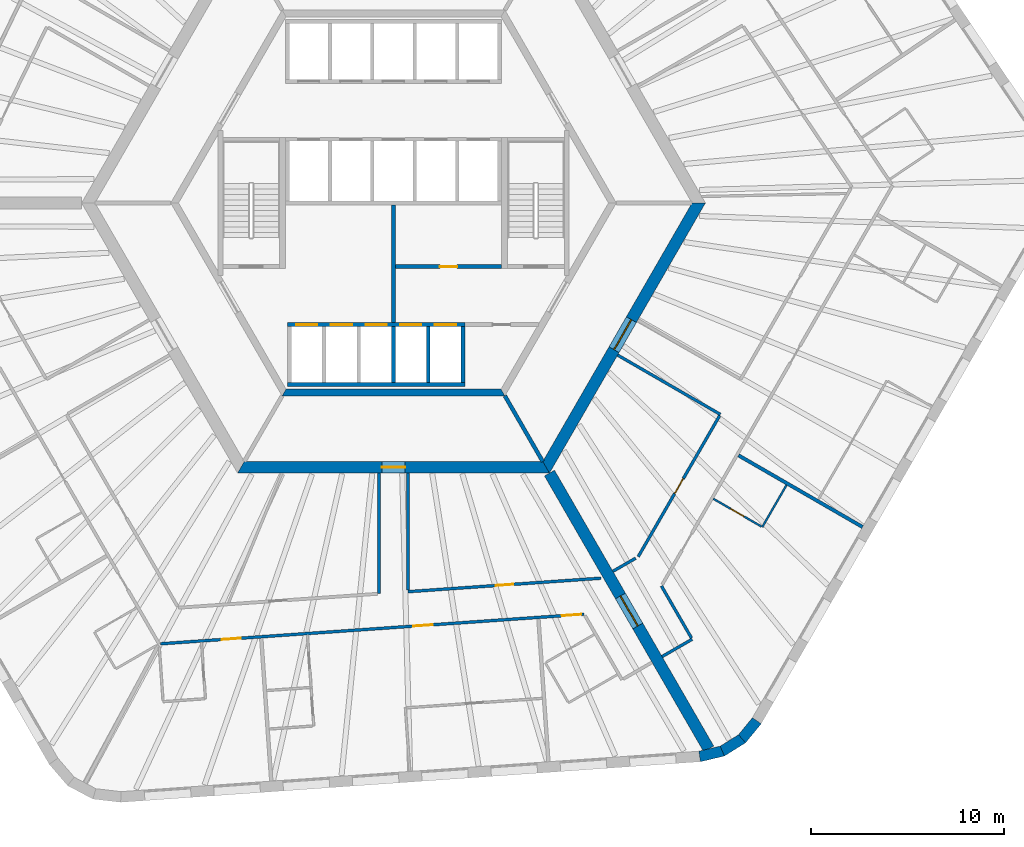
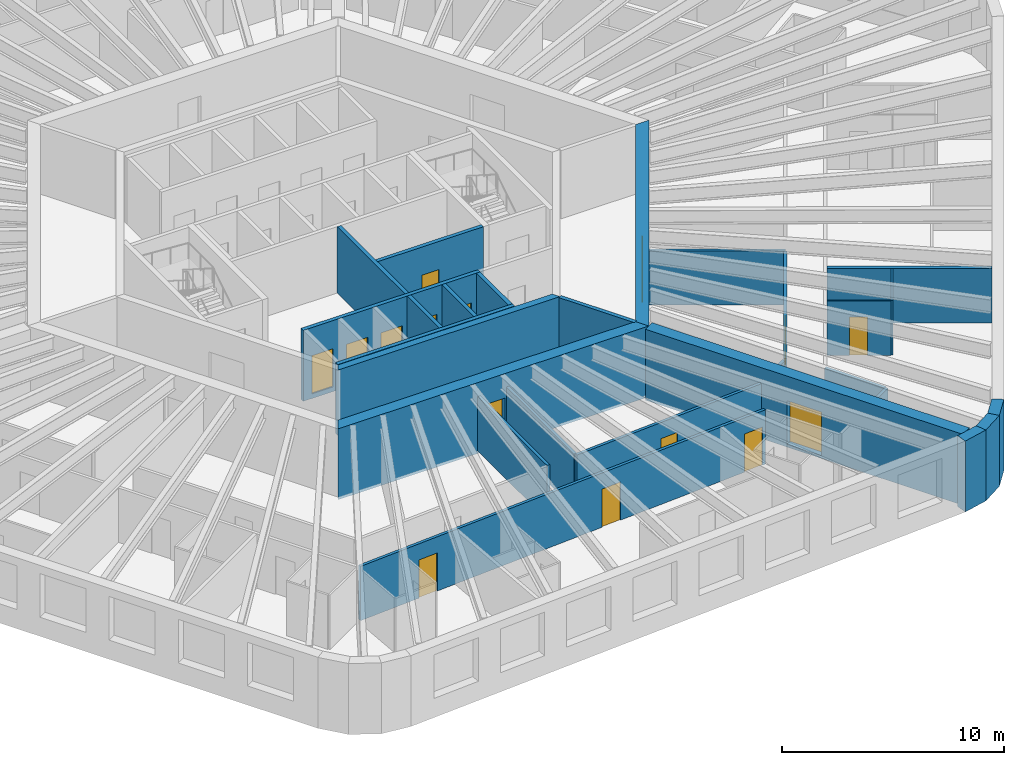
# One storey, part 5 of 12: 27 walls, 15 doors, 15 openings.
"""IFC4 building model written with IfcOpenShell, lengths in metres."""

from ifc_helpers import new_model, si_unit, direction, frame, frame_2d, origin, place, context, subcontext, project, spatial, polyline, rectangle, outline, extrude, material, layer, layer_set, type_object, element, fill, save


model = new_model("IFC4")

# Units and contexts
model_context = context("Model", 3, precision=1e-05, world=origin(), true_north=direction((0.0, 1.0)))
body_context = subcontext(model_context, "Body", "Model", "MODEL_VIEW")
ifc_project = project(units=[si_unit("LENGTHUNIT", "METRE"), si_unit("AREAUNIT", "SQUARE_METRE"), si_unit("VOLUMEUNIT", "CUBIC_METRE"), si_unit("PLANEANGLEUNIT", "RADIAN"), si_unit("MASSUNIT", "GRAM", prefix="KILO")], contexts=[model_context])

# Site, building, storey
site_placement = place(None, origin())
site = spatial("IfcSite", under=ifc_project, at=site_placement, CompositionType="ELEMENT")
building_placement = place(site_placement, origin())
building = spatial("IfcBuilding", under=site, at=building_placement, Name="Tarnside Tower", CompositionType="ELEMENT")
storey_placement = place(building_placement, frame((0.0, 0.0, 127.199951171875)))
storey = spatial("IfcBuildingStorey", under=building, at=storey_placement, Name="L29", CompositionType="ELEMENT", Elevation=127.199951171875)

# Wall
ifc_material_1 = material(Name="Gypsum board partition on steel studs", Category="steel")
ifc_layer_1 = layer(ifc_material_1, 0.10009765625)
ifc_layer_set_1 = layer_set([ifc_layer_1], Name="Bathroom wall 100")
wall_type_1 = type_object("IfcWallType", Name="Bathroom wall 100", PredefinedType="PARTITIONING", material=ifc_layer_set_1)
wall_1_placement = place(storey_placement, frame((20.367919921875, -14.621826171875, 0.0), z_axis=(0.0, 0.0, 1.0), x_axis=(-0.50001992892, -0.866013897511, 0.0)))
element("IfcWall", 1, at=wall_1_placement, inside=storey, type_object=wall_type_1, Name="Bathroom wall 09143", PredefinedType="PARTITIONING", context=body_context, shape_type="SweptSolid", body=[
    extrude(rectangle(XDim=2.51025390625, YDim=0.10009765625, at=frame_2d((1.255126953125, 0.0))), origin(), (0.0, 0.0, 1.0), 2.98779296875),
])

# Wall, opening, door
wall_2_placement = place(storey_placement, frame((19.069580078125, -16.7705078125, 0.0), z_axis=(0.0, 0.0, 1.0), x_axis=(-0.866018712932, 0.500011588718, 0.0)))
wall_2 = element("IfcWall", 2, at=wall_2_placement, inside=storey, type_object=wall_type_1, Name="Bathroom wall 09144", PredefinedType="PARTITIONING", context=body_context, shape_type="SweptSolid", body=[
    extrude(rectangle(XDim=2.875, YDim=0.10009765625, at=frame_2d((1.4375, 0.0))), origin(), (0.0, 0.0, 1.0), 2.98779296875),
])
opening_1_placement = place(wall_2_placement, frame((1.050048828125, 0.0, 0.0)))
opening_1 = element("IfcOpeningElement", 3, at=opening_1_placement, cuts=wall_2, Name="Opening D-B1", PredefinedType="OPENING", context=body_context, shape_type="SweptSolid", body=[
    extrude(rectangle(XDim=0.800048828125, YDim=2.10009765625, at=frame_2d((0.39990234375, 1.050048828125))), frame((0.0, 0.06005859375, 0.0), z_axis=(0.0, -1.0, 0.0), x_axis=(1.0, 0.0, 0.0)), (0.0, 0.0, 1.0), 0.1201171875),
])
ifc_material_2 = material(Name="Timber door leaf", Category="wood")
door_type_1 = type_object("IfcDoorType", Name="Bathroom door 800", OperationType="NOTDEFINED", PredefinedType="DOOR", material=ifc_material_2)
door_1_placement = place(opening_1_placement, origin())
door_1 = element("IfcDoor", 4, at=door_1_placement, inside=storey, type_object=door_type_1, Name="Bathroom door 09032", OperationType="SINGLE_SWING_LEFT", OverallHeight=2.10009765625, OverallWidth=0.800048828125, PredefinedType="DOOR", context=body_context, shape_type="SweptSolid", body=[
    extrude(rectangle(XDim=0.800048828125, YDim=2.10009765625, at=frame_2d((0.39990234375, 1.050048828125))), frame((0.0, 0.02490234375, 0.0), z_axis=(0.0, -1.0, 0.0), x_axis=(1.0, 0.0, 0.0)), (0.0, 0.0, 1.0), 0.050048828125),
])
fill(opening_1, door_1)

# Wall
ifc_material_3 = material(Name="Concrete C50/60", Category="concrete")
ifc_layer_2 = layer(ifc_material_3, 0.35009765625)
ifc_layer_set_2 = layer_set([ifc_layer_2], Name="Core block wall 350 C50/60")
wall_type_2 = type_object("IfcWallType", Name="Core block wall 350 C50/60", PredefinedType="SHEAR", material=ifc_layer_set_2)
wall_3_placement = place(storey_placement, frame((-5.672607421875, -9.824951171875, -0.14990234375), z_axis=(0.0, 0.0, 1.0), x_axis=(1.0, 0.0, 0.0)))
element("IfcWall", 5, at=wall_3_placement, inside=storey, type_object=wall_type_2, Name="L29 core block wall face 4", PredefinedType="SHEAR", context=body_context, shape_type="SweptSolid", body=[
    extrude(outline(polyline([(-0.10107421875, -0.175048828125), (11.4462890625, -0.175048828125), (11.244140625, 0.175048828125), (0.10107421875, 0.175048828125), (-0.10107421875, -0.175048828125)])), origin(), (0.0, 0.0, 1.0), 3.89990234375),
])

# Wall, opening, door
ifc_material_4 = material(Name="Concrete C40/50", Category="concrete")
ifc_layer_3 = layer(ifc_material_4, 0.199951171875)
ifc_layer_set_3 = layer_set([ifc_layer_3], Name="Core room partition 200 C40/50")
wall_type_3 = type_object("IfcWallType", Name="Core room partition 200 C40/50", PredefinedType="PARTITIONING", material=ifc_layer_set_3)
wall_4_placement = place(storey_placement, frame((0.10009765625, -3.300048828125, 0.0), z_axis=(0.0, 0.0, 1.0), x_axis=(1.0, 0.0, 0.0)))
wall_4 = element("IfcWall", 6, at=wall_4_placement, inside=storey, type_object=wall_type_3, Name="L29 core partition R3S1", PredefinedType="PARTITIONING", context=body_context, shape_type="SweptSolid", body=[
    extrude(rectangle(XDim=5.5, YDim=0.199951171875, at=frame_2d((2.75, 0.0))), origin(), (0.0, 0.0, 1.0), 3.650146484375),
])
opening_2_placement = place(wall_4_placement, frame((2.300048828125, 0.0, 0.0)))
opening_2 = element("IfcOpeningElement", 7, at=opening_2_placement, cuts=wall_4, Name="Opening CD-room", PredefinedType="OPENING", context=body_context, shape_type="SweptSolid", body=[
    extrude(rectangle(XDim=0.89990234375, YDim=2.10009765625, at=frame_2d((0.449951171875, 1.050048828125))), frame((0.0, 0.10986328125, 0.0), z_axis=(0.0, -1.0, 0.0), x_axis=(1.0, 0.0, 0.0)), (0.0, 0.0, 1.0), 0.219970703125),
])
ifc_material_5 = material(Name="Steel fire door", Category="steel")
door_type_2 = type_object("IfcDoorType", Name="Room door FD60 900x2100", OperationType="NOTDEFINED", PredefinedType="DOOR", material=ifc_material_5)
door_2_placement = place(opening_2_placement, origin())
door_2 = element("IfcDoor", 8, at=door_2_placement, inside=storey, type_object=door_type_2, Name="L29 core room door SR1", OperationType="SINGLE_SWING_LEFT", OverallHeight=2.10009765625, OverallWidth=0.89990234375, PredefinedType="DOOR", context=body_context, shape_type="SweptSolid", body=[
    extrude(rectangle(XDim=0.89990234375, YDim=2.10009765625, at=frame_2d((0.449951171875, 1.050048828125))), frame((0.0, 0.02490234375, 0.0), z_axis=(0.0, -1.0, 0.0), x_axis=(1.0, 0.0, 0.0)), (0.0, 0.0, 1.0), 0.050048828125),
])
fill(opening_2, door_2)

# Wall
wall_5_placement = place(storey_placement, frame((0.0, -6.199951171875, 0.0), z_axis=(0.0, 0.0, 1.0), x_axis=(0.0, 1.0, 0.0)))
element("IfcWall", 9, at=wall_5_placement, inside=storey, type_object=wall_type_3, Name="L29 core partition X0", PredefinedType="PARTITIONING", context=body_context, shape_type="SweptSolid", body=[
    extrude(rectangle(XDim=6.099853515625, YDim=0.199951171875, at=frame_2d((3.0498046875, 0.0))), origin(), (0.0, 0.0, 1.0), 3.650146484375),
])

# Wall, opening, door
ifc_material_6 = material(Name="Concrete C80/95", Category="concrete")
ifc_layer_4 = layer(ifc_material_6, 0.60009765625)
ifc_layer_set_4 = layer_set([ifc_layer_4], Name="Core wall Z1 600 C80/95")
wall_type_4 = type_object("IfcWallType", Name="Core wall Z1 600 C80/95", PredefinedType="SHEAR", material=ifc_layer_set_4)
wall_6_placement = place(storey_placement, frame((-7.90966796875, -13.699951171875, -0.14990234375), z_axis=(0.0, 0.0, 1.0), x_axis=(1.0, 0.0, 0.0)))
wall_6 = element("IfcWall", 10, at=wall_6_placement, inside=storey, type_object=wall_type_4, Name="L29 core wall face 4", PredefinedType="SHEAR", context=body_context, shape_type="SweptSolid", body=[
    extrude(outline(polyline([(-0.17333984375, -0.300048828125), (15.99267578125, -0.300048828125), (15.64599609375, 0.300048828125), (0.17333984375, 0.300048828125), (-0.17333984375, -0.300048828125)])), origin(), (0.0, 0.0, 1.0), 3.89990234375),
])
opening_3_placement = place(wall_6_placement, frame((7.309814453125, 0.0, 0.14990234375)))
opening_3 = element("IfcOpeningElement", 11, at=opening_3_placement, cuts=wall_6, Name="Opening CD-RSR", PredefinedType="OPENING", context=body_context, shape_type="SweptSolid", body=[
    extrude(rectangle(XDim=1.199951171875, YDim=2.39990234375, at=frame_2d((0.60009765625, 1.199951171875))), frame((0.0, 0.31005859375, 0.0), z_axis=(0.0, -1.0, 0.0), x_axis=(1.0, 0.0, 0.0)), (0.0, 0.0, 1.0), 0.6201171875),
])
door_type_3 = type_object("IfcDoorType", Name="Riser door FD60 1200x2400", OperationType="NOTDEFINED", PredefinedType="DOOR", material=ifc_material_5)
door_3_placement = place(opening_3_placement, origin())
door_3 = element("IfcDoor", 12, at=door_3_placement, inside=storey, type_object=door_type_3, Name="L29 core door S6", OperationType="SINGLE_SWING_LEFT", OverallHeight=2.39990234375, OverallWidth=1.199951171875, PredefinedType="DOOR", context=body_context, shape_type="SweptSolid", body=[
    extrude(rectangle(XDim=1.199951171875, YDim=2.39990234375, at=frame_2d((0.60009765625, 1.199951171875))), frame((0.0, 0.02490234375, 0.0), z_axis=(0.0, -1.0, 0.0), x_axis=(1.0, 0.0, 0.0)), (0.0, 0.0, 1.0), 0.050048828125),
])
fill(opening_3, door_3)

wall_7_placement = place(storey_placement, frame((7.90966796875, -13.699951171875, -0.14990234375), z_axis=(0.0, 0.0, 1.0), x_axis=(0.499999880136, 0.866025472988, 0.0)))
wall_7 = element("IfcWall", 13, at=wall_7_placement, inside=storey, type_object=wall_type_4, Name="L29 core wall face 5", PredefinedType="SHEAR", context=body_context, shape_type="SweptSolid", body=[
    extrude(outline(polyline([(-0.17333984375, -0.300048828125), (15.99267578125, -0.300048828125), (15.64599609375, 0.300048828125), (0.17333984375, 0.300048828125), (-0.17333984375, -0.300048828125)])), origin(), (0.0, 0.0, 1.0), 3.89990234375),
])
opening_4_placement = place(wall_7_placement, frame((7.03857421875, 0.0, 0.14990234375)))
opening_4 = element("IfcOpeningElement", 14, at=opening_4_placement, cuts=wall_7, Name="Opening CD-FFL", PredefinedType="OPENING", context=body_context, shape_type="SweptSolid", body=[
    extrude(rectangle(XDim=1.800048828125, YDim=2.39990234375, at=frame_2d((0.89990234375, 1.199951171875))), frame((0.0, 0.31005859375, 0.0), z_axis=(0.0, -1.0, 0.0), x_axis=(1.0, 0.0, 0.0)), (0.0, 0.0, 1.0), 0.6201171875),
])
door_type_4 = type_object("IfcDoorType", Name="Firefighting lobby double door FD60S 1800x2400", OperationType="NOTDEFINED", PredefinedType="DOOR", material=ifc_material_5)
door_4_placement = place(opening_4_placement, origin())
door_4 = element("IfcDoor", 15, at=door_4_placement, inside=storey, type_object=door_type_4, Name="L29 core door P4", OperationType="DOUBLE_DOOR_SINGLE_SWING", OverallHeight=2.39990234375, OverallWidth=1.800048828125, PredefinedType="DOOR", context=body_context, shape_type="SweptSolid", body=[
    extrude(rectangle(XDim=1.800048828125, YDim=2.39990234375, at=frame_2d((0.89990234375, 1.199951171875))), frame((0.0, 0.02490234375, 0.0), z_axis=(0.0, -1.0, 0.0), x_axis=(1.0, 0.0, 0.0)), (0.0, 0.0, 1.0), 0.050048828125),
])
fill(opening_4, door_4)

wall_8_placement = place(storey_placement, frame((8.0830078125, -14.0, -0.14990234375), z_axis=(0.0, 0.0, 1.0), x_axis=(0.499997680643, -0.866026742862, 0.0)))
wall_8 = element("IfcWall", 16, at=wall_8_placement, inside=storey, type_object=wall_type_4, Name="L29 spine wall 3", PredefinedType="SHEAR", context=body_context, shape_type="SweptSolid", body=[
    extrude(rectangle(XDim=16.5087890625, YDim=0.60009765625, at=frame_2d((8.25439453125, 0.0))), origin(), (0.0, 0.0, 1.0), 3.89990234375),
])
opening_5_placement = place(wall_8_placement, frame((7.3544921875, 0.0, 0.14990234375)))
opening_5 = element("IfcOpeningElement", 17, at=opening_5_placement, cuts=wall_8, Name="Opening CD-SPN", PredefinedType="OPENING", context=body_context, shape_type="SweptSolid", body=[
    extrude(rectangle(XDim=1.800048828125, YDim=2.39990234375, at=frame_2d((0.89990234375, 1.199951171875))), frame((0.0, 0.31005859375, 0.0), z_axis=(0.0, -1.0, 0.0), x_axis=(1.0, 0.0, 0.0)), (0.0, 0.0, 1.0), 0.6201171875),
])
door_type_5 = type_object("IfcDoorType", Name="Spine passage double door FD60 1800x2400", OperationType="NOTDEFINED", PredefinedType="DOOR", material=ifc_material_5)
door_5_placement = place(opening_5_placement, origin())
door_5 = element("IfcDoor", 18, at=door_5_placement, inside=storey, type_object=door_type_5, Name="L29 spine passage door 3", OperationType="DOUBLE_DOOR_SINGLE_SWING", OverallHeight=2.39990234375, OverallWidth=1.800048828125, PredefinedType="DOOR", context=body_context, shape_type="SweptSolid", body=[
    extrude(rectangle(XDim=1.800048828125, YDim=2.39990234375, at=frame_2d((0.89990234375, 1.199951171875))), frame((0.0, 0.02490234375, 0.0), z_axis=(0.0, -1.0, 0.0), x_axis=(1.0, 0.0, 0.0)), (0.0, 0.0, 1.0), 0.050048828125),
])
fill(opening_5, door_5)

# Wall, openings, doors
ifc_layer_5 = layer(ifc_material_1, 0.14990234375)
ifc_layer_set_5 = layer_set([ifc_layer_5], Name="Corridor wall 150 EI 60")
wall_type_5 = type_object("IfcWallType", Name="Corridor wall 150 EI 60", PredefinedType="PARTITIONING", material=ifc_layer_set_5)
wall_9_placement = place(storey_placement, frame((-12.068115234375, -22.847412109375, 0.0), z_axis=(0.0, 0.0, 1.0), x_axis=(0.99756437486, 0.069751831595, 0.0)))
wall_9 = element("IfcWall", 19, at=wall_9_placement, inside=storey, type_object=wall_type_5, Name="Corridor wall 09035", PredefinedType="PARTITIONING", context=body_context, shape_type="SweptSolid", body=[
    extrude(rectangle(XDim=22.001708984375, YDim=0.14990234375, at=frame_2d((11.0009765625, 0.0))), origin(), (0.0, 0.0, 1.0), 2.98779296875),
])
opening_6_placement = place(wall_9_placement, frame((3.1689453125, 0.0, 0.0)))
opening_6 = element("IfcOpeningElement", 20, at=opening_6_placement, cuts=wall_9, Name="Opening D-E1", PredefinedType="OPENING", context=body_context, shape_type="SweptSolid", body=[
    extrude(rectangle(XDim=1.0, YDim=2.10009765625, at=frame_2d((0.5, 1.050048828125))), frame((0.0, 0.0849609375, 0.0), z_axis=(0.0, -1.0, 0.0), x_axis=(1.0, 0.0, 0.0)), (0.0, 0.0, 1.0), 0.169921875),
])
opening_7_placement = place(wall_9_placement, frame((13.121337890625, 0.0, 0.0)))
opening_7 = element("IfcOpeningElement", 21, at=opening_7_placement, cuts=wall_9, Name="Opening D-E1", PredefinedType="OPENING", context=body_context, shape_type="SweptSolid", body=[
    extrude(rectangle(XDim=1.0, YDim=2.10009765625, at=frame_2d((0.5, 1.050048828125))), frame((0.0, 0.0849609375, 0.0), z_axis=(0.0, -1.0, 0.0), x_axis=(1.0, 0.0, 0.0)), (0.0, 0.0, 1.0), 0.169921875),
])
opening_8_placement = place(wall_9_placement, frame((20.851806640625, 0.0, 0.0)))
opening_8 = element("IfcOpeningElement", 22, at=opening_8_placement, cuts=wall_9, Name="Opening D-E1", PredefinedType="OPENING", context=body_context, shape_type="SweptSolid", body=[
    extrude(rectangle(XDim=1.0, YDim=2.10009765625, at=frame_2d((0.5, 1.050048828125))), frame((0.0, 0.0849609375, 0.0), z_axis=(0.0, -1.0, 0.0), x_axis=(1.0, 0.0, 0.0)), (0.0, 0.0, 1.0), 0.169921875),
])
door_type_6 = type_object("IfcDoorType", Name="Unit entrance door 1000 FD30S", OperationType="NOTDEFINED", PredefinedType="DOOR", material=ifc_material_2)
door_6_placement = place(opening_6_placement, origin())
door_6 = element("IfcDoor", 23, at=door_6_placement, inside=storey, type_object=door_type_6, Name="Unit door 09023", OperationType="SINGLE_SWING_LEFT", OverallHeight=2.10009765625, OverallWidth=1.0, PredefinedType="DOOR", context=body_context, shape_type="SweptSolid", body=[
    extrude(rectangle(XDim=1.0, YDim=2.10009765625, at=frame_2d((0.5, 1.050048828125))), frame((0.0, 0.02490234375, 0.0), z_axis=(0.0, -1.0, 0.0), x_axis=(1.0, 0.0, 0.0)), (0.0, 0.0, 1.0), 0.050048828125),
])
fill(opening_6, door_6)
door_7_placement = place(opening_7_placement, origin())
door_7 = element("IfcDoor", 24, at=door_7_placement, inside=storey, type_object=door_type_6, Name="Unit door 09025", OperationType="SINGLE_SWING_RIGHT", OverallHeight=2.10009765625, OverallWidth=1.0, PredefinedType="DOOR", context=body_context, shape_type="SweptSolid", body=[
    extrude(rectangle(XDim=1.0, YDim=2.10009765625, at=frame_2d((0.5, 1.050048828125))), frame((0.0, 0.02490234375, 0.0), z_axis=(0.0, -1.0, 0.0), x_axis=(1.0, 0.0, 0.0)), (0.0, 0.0, 1.0), 0.050048828125),
])
fill(opening_7, door_7)
door_8_placement = place(opening_8_placement, origin())
door_8 = element("IfcDoor", 25, at=door_8_placement, inside=storey, type_object=door_type_6, Name="Unit door 09029", OperationType="SINGLE_SWING_LEFT", OverallHeight=2.10009765625, OverallWidth=1.0, PredefinedType="DOOR", context=body_context, shape_type="SweptSolid", body=[
    extrude(rectangle(XDim=1.0, YDim=2.10009765625, at=frame_2d((0.5, 1.050048828125))), frame((0.0, 0.02490234375, 0.0), z_axis=(0.0, -1.0, 0.0), x_axis=(1.0, 0.0, 0.0)), (0.0, 0.0, 1.0), 0.050048828125),
])
fill(opening_8, door_8)

# Wall
wall_10_placement = place(storey_placement, frame((-0.75, -14.0, 0.0), z_axis=(0.0, 0.0, 1.0), x_axis=(0.0, -1.0, 0.0)))
element("IfcWall", 26, at=wall_10_placement, inside=storey, type_object=wall_type_5, Name="Corridor wall 09047", PredefinedType="PARTITIONING", context=body_context, shape_type="SweptSolid", body=[
    extrude(rectangle(XDim=6.251708984375, YDim=0.14990234375, at=frame_2d((3.1259765625, 0.0))), origin(), (0.0, 0.0, 1.0), 2.98779296875),
])

# Wall, opening, door
wall_11_placement = place(storey_placement, frame((10.75439453125, -19.447265625, 0.0), z_axis=(0.0, 0.0, 1.0), x_axis=(-0.997564830966, -0.069745308232, 0.0)))
wall_11 = element("IfcWall", 27, at=wall_11_placement, inside=storey, type_object=wall_type_5, Name="Corridor wall 09052", PredefinedType="PARTITIONING", context=body_context, shape_type="SweptSolid", body=[
    extrude(rectangle(XDim=10.02880859375, YDim=0.14990234375, at=frame_2d((5.014404296875, 0.0))), origin(), (0.0, 0.0, 1.0), 2.98779296875),
])
opening_9_placement = place(wall_11_placement, frame((4.564453125, 0.0, 0.0)))
opening_9 = element("IfcOpeningElement", 28, at=opening_9_placement, cuts=wall_11, Name="Opening D-S1", PredefinedType="OPENING", context=body_context, shape_type="SweptSolid", body=[
    extrude(rectangle(XDim=0.89990234375, YDim=2.10009765625, at=frame_2d((0.449951171875, 1.050048828125))), frame((0.0, 0.0849609375, 0.0), z_axis=(0.0, -1.0, 0.0), x_axis=(1.0, 0.0, 0.0)), (0.0, 0.0, 1.0), 0.169921875),
])
door_type_7 = type_object("IfcDoorType", Name="Service room door 900 FD30S", OperationType="NOTDEFINED", PredefinedType="DOOR", material=ifc_material_2)
door_9_placement = place(opening_9_placement, origin())
door_9 = element("IfcDoor", 29, at=door_9_placement, inside=storey, type_object=door_type_7, Name="Service door 09052", OperationType="SINGLE_SWING_LEFT", OverallHeight=2.10009765625, OverallWidth=0.89990234375, PredefinedType="DOOR", context=body_context, shape_type="SweptSolid", body=[
    extrude(rectangle(XDim=0.89990234375, YDim=2.10009765625, at=frame_2d((0.449951171875, 1.050048828125))), frame((0.0, 0.02490234375, 0.0), z_axis=(0.0, -1.0, 0.0), x_axis=(1.0, 0.0, 0.0)), (0.0, 0.0, 1.0), 0.050048828125),
])
fill(opening_9, door_9)

# Walls
wall_12_placement = place(storey_placement, frame((0.75, -20.071533203125, 0.0), z_axis=(0.0, 0.0, 1.0), x_axis=(0.0, 1.0, 0.0)))
element("IfcWall", 30, at=wall_12_placement, inside=storey, type_object=wall_type_5, Name="Corridor wall 09053", PredefinedType="PARTITIONING", context=body_context, shape_type="SweptSolid", body=[
    extrude(rectangle(XDim=6.071533203125, YDim=0.14990234375, at=frame_2d((3.03564453125, 0.0))), origin(), (0.0, 0.0, 1.0), 2.98779296875),
])
wall_13_placement = place(storey_placement, frame((13.919921875, -23.510009765625, 0.0), z_axis=(0.0, 0.0, 1.0), x_axis=(0.866047807691, 0.499961193289, 0.0)))
element("IfcWall", 31, at=wall_13_placement, inside=storey, type_object=wall_type_5, Name="Corridor wall 09054", PredefinedType="PARTITIONING", context=body_context, shape_type="SweptSolid", body=[
    extrude(rectangle(XDim=1.800048828125, YDim=0.14990234375, at=frame_2d((0.89990234375, 0.0))), origin(), (0.0, 0.0, 1.0), 2.98779296875),
])
wall_14_placement = place(storey_placement, frame((15.44140625, -22.545166015625, 0.0), z_axis=(0.0, 0.0, 1.0), x_axis=(-0.500037089193, 0.86600398927, 0.0)))
element("IfcWall", 32, at=wall_14_placement, inside=storey, type_object=wall_type_5, Name="Corridor wall 09055", PredefinedType="PARTITIONING", context=body_context, shape_type="SweptSolid", body=[
    extrude(rectangle(XDim=3.112060546875, YDim=0.14990234375, at=frame_2d((1.55615234375, 0.0))), origin(), (0.0, 0.0, 1.0), 2.98779296875),
])
wall_15_placement = place(storey_placement, frame((11.61376953125, -7.88427734375, 0.0), z_axis=(0.0, 0.0, 1.0), x_axis=(0.866033542371, -0.499985903289, 0.0)))
element("IfcWall", 33, at=wall_15_placement, inside=storey, type_object=wall_type_5, Name="Corridor wall 09076", PredefinedType="PARTITIONING", context=body_context, shape_type="SweptSolid", body=[
    extrude(rectangle(XDim=6.150146484375, YDim=0.14990234375, at=frame_2d((3.0751953125, 0.0))), origin(), (0.0, 0.0, 1.0), 2.98779296875),
])

# Wall, opening, door
wall_16_placement = place(storey_placement, frame((16.90234375, -11.024169921875, 0.0), z_axis=(0.0, 0.0, 1.0), x_axis=(-0.499999527968, -0.866025676312, 0.0)))
wall_16 = element("IfcWall", 34, at=wall_16_placement, inside=storey, type_object=wall_type_5, Name="Corridor wall 09077", PredefinedType="PARTITIONING", context=body_context, shape_type="SweptSolid", body=[
    extrude(rectangle(XDim=8.44091796875, YDim=0.14990234375, at=frame_2d((4.220458984375, 0.0))), origin(), (0.0, 0.0, 1.0), 2.98779296875),
])
opening_10_placement = place(wall_16_placement, frame((3.7705078125, 0.0, 0.0)))
opening_10 = element("IfcOpeningElement", 35, at=opening_10_placement, cuts=wall_16, Name="Opening D-S1", PredefinedType="OPENING", context=body_context, shape_type="SweptSolid", body=[
    extrude(rectangle(XDim=0.89990234375, YDim=2.10009765625, at=frame_2d((0.449951171875, 1.050048828125))), frame((0.0, 0.0849609375, 0.0), z_axis=(0.0, -1.0, 0.0), x_axis=(1.0, 0.0, 0.0)), (0.0, 0.0, 1.0), 0.169921875),
])
door_10_placement = place(opening_10_placement, origin())
door_10 = element("IfcDoor", 36, at=door_10_placement, inside=storey, type_object=door_type_7, Name="Service door 09055", OperationType="SINGLE_SWING_RIGHT", OverallHeight=2.10009765625, OverallWidth=0.89990234375, PredefinedType="DOOR", context=body_context, shape_type="SweptSolid", body=[
    extrude(rectangle(XDim=0.89990234375, YDim=2.10009765625, at=frame_2d((0.449951171875, 1.050048828125))), frame((0.0, 0.02490234375, 0.0), z_axis=(0.0, -1.0, 0.0), x_axis=(1.0, 0.0, 0.0)), (0.0, 0.0, 1.0), 0.050048828125),
])
fill(opening_10, door_10)

# Walls
wall_17_placement = place(storey_placement, frame((12.552001953125, -18.409423828125, 0.0), z_axis=(0.0, 0.0, 1.0), x_axis=(-0.866078408764, -0.499908181442, 0.0)))
element("IfcWall", 37, at=wall_17_placement, inside=storey, type_object=wall_type_5, Name="Corridor wall 09078", PredefinedType="PARTITIONING", context=body_context, shape_type="SweptSolid", body=[
    extrude(rectangle(XDim=1.365478515625, YDim=0.14990234375, at=frame_2d((0.6826171875, 0.0))), origin(), (0.0, 0.0, 1.0), 2.98779296875),
])
ifc_layer_6 = layer(ifc_material_1, 0.179931640625)
ifc_layer_set_6 = layer_set([ifc_layer_6], Name="Demising wall 180 EI 60")
wall_type_6 = type_object("IfcWallType", Name="Demising wall 180 EI 60", PredefinedType="PARTITIONING", material=ifc_layer_set_6)
wall_18_placement = place(storey_placement, frame((24.31005859375, -16.7939453125, 0.0), z_axis=(0.0, 0.0, 1.0), x_axis=(-0.866022965479, 0.500004223245, 0.0)))
element("IfcWall", 38, at=wall_18_placement, inside=storey, type_object=wall_type_6, Name="Demising wall 09145", PredefinedType="PARTITIONING", context=body_context, shape_type="SweptSolid", body=[
    extrude(rectangle(XDim=7.42529296875, YDim=0.179931640625, at=frame_2d((3.712646484375, 0.0))), origin(), (0.0, 0.0, 1.0), 2.98779296875),
])

# Wall, openings, doors
ifc_layer_7 = layer(ifc_material_4, 0.199951171875)
ifc_layer_set_7 = layer_set([ifc_layer_7], Name="Lift shaft wall 200 C40/50")
wall_type_7 = type_object("IfcWallType", Name="Lift shaft wall 200 C40/50", PredefinedType="SHEAR", material=ifc_layer_set_7)
wall_19_placement = place(storey_placement, frame((-5.5, -6.300048828125, -0.25), z_axis=(0.0, 0.0, 1.0), x_axis=(1.0, 0.0, 0.0)))
wall_19 = element("IfcWall", 39, at=wall_19_placement, inside=storey, type_object=wall_type_7, Name="L29 lift shaft front wall R4", PredefinedType="SHEAR", context=body_context, shape_type="SweptSolid", body=[
    extrude(rectangle(XDim=9.199951171875, YDim=0.199951171875, at=frame_2d((4.60009765625, 0.0))), origin(), (0.0, 0.0, 1.0), 3.900146484375),
])
opening_11_placement = place(wall_19_placement, frame((0.449951171875, 0.0, 0.25)))
opening_11 = element("IfcOpeningElement", 40, at=opening_11_placement, cuts=wall_19, Name="Opening LDF", PredefinedType="OPENING", context=body_context, shape_type="SweptSolid", body=[
    extrude(rectangle(XDim=1.10009765625, YDim=2.10009765625, at=frame_2d((0.550048828125, 1.050048828125))), frame((0.0, 0.10986328125, 0.0), z_axis=(0.0, -1.0, 0.0), x_axis=(1.0, 0.0, 0.0)), (0.0, 0.0, 1.0), 0.219970703125),
])
opening_12_placement = place(wall_19_placement, frame((2.25, 0.0, 0.25)))
opening_12 = element("IfcOpeningElement", 41, at=opening_12_placement, cuts=wall_19, Name="Opening LDF", PredefinedType="OPENING", context=body_context, shape_type="SweptSolid", body=[
    extrude(rectangle(XDim=1.10009765625, YDim=2.10009765625, at=frame_2d((0.550048828125, 1.050048828125))), frame((0.0, 0.10986328125, 0.0), z_axis=(0.0, -1.0, 0.0), x_axis=(1.0, 0.0, 0.0)), (0.0, 0.0, 1.0), 0.219970703125),
])
opening_13_placement = place(wall_19_placement, frame((4.050048828125, 0.0, 0.25)))
opening_13 = element("IfcOpeningElement", 42, at=opening_13_placement, cuts=wall_19, Name="Opening LDF", PredefinedType="OPENING", context=body_context, shape_type="SweptSolid", body=[
    extrude(rectangle(XDim=1.10009765625, YDim=2.10009765625, at=frame_2d((0.550048828125, 1.050048828125))), frame((0.0, 0.10986328125, 0.0), z_axis=(0.0, -1.0, 0.0), x_axis=(1.0, 0.0, 0.0)), (0.0, 0.0, 1.0), 0.219970703125),
])
opening_14_placement = place(wall_19_placement, frame((5.85009765625, 0.0, 0.25)))
opening_14 = element("IfcOpeningElement", 43, at=opening_14_placement, cuts=wall_19, Name="Opening LDF", PredefinedType="OPENING", context=body_context, shape_type="SweptSolid", body=[
    extrude(rectangle(XDim=1.10009765625, YDim=2.10009765625, at=frame_2d((0.550048828125, 1.050048828125))), frame((0.0, 0.10986328125, 0.0), z_axis=(0.0, -1.0, 0.0), x_axis=(1.0, 0.0, 0.0)), (0.0, 0.0, 1.0), 0.219970703125),
])
opening_15_placement = place(wall_19_placement, frame((7.64990234375, 0.0, 0.25)))
opening_15 = element("IfcOpeningElement", 44, at=opening_15_placement, cuts=wall_19, Name="Opening LDF", PredefinedType="OPENING", context=body_context, shape_type="SweptSolid", body=[
    extrude(rectangle(XDim=1.10009765625, YDim=2.10009765625, at=frame_2d((0.550048828125, 1.050048828125))), frame((0.0, 0.10986328125, 0.0), z_axis=(0.0, -1.0, 0.0), x_axis=(1.0, 0.0, 0.0)), (0.0, 0.0, 1.0), 0.219970703125),
])
ifc_material_7 = material(Name="Stainless steel", Category="steel")
door_type_8 = type_object("IfcDoorType", Name="Lift landing door 1100x2100 EI 120", OperationType="NOTDEFINED", PredefinedType="DOOR", material=ifc_material_7)
door_11_placement = place(opening_11_placement, origin())
door_11 = element("IfcDoor", 45, at=door_11_placement, inside=storey, type_object=door_type_8, Name="Firefighting lift 1 landing door L29", OperationType="SLIDING_TO_LEFT", OverallHeight=2.10009765625, OverallWidth=1.10009765625, PredefinedType="DOOR", context=body_context, shape_type="SweptSolid", body=[
    extrude(rectangle(XDim=1.10009765625, YDim=2.10009765625, at=frame_2d((0.550048828125, 1.050048828125))), frame((0.0, 0.02490234375, 0.0), z_axis=(0.0, -1.0, 0.0), x_axis=(1.0, 0.0, 0.0)), (0.0, 0.0, 1.0), 0.050048828125),
])
fill(opening_11, door_11)
door_12_placement = place(opening_12_placement, origin())
door_12 = element("IfcDoor", 46, at=door_12_placement, inside=storey, type_object=door_type_8, Name="Firefighting lift 2 landing door L29", OperationType="SLIDING_TO_LEFT", OverallHeight=2.10009765625, OverallWidth=1.10009765625, PredefinedType="DOOR", context=body_context, shape_type="SweptSolid", body=[
    extrude(rectangle(XDim=1.10009765625, YDim=2.10009765625, at=frame_2d((0.550048828125, 1.050048828125))), frame((0.0, 0.02490234375, 0.0), z_axis=(0.0, -1.0, 0.0), x_axis=(1.0, 0.0, 0.0)), (0.0, 0.0, 1.0), 0.050048828125),
])
fill(opening_12, door_12)
door_13_placement = place(opening_13_placement, origin())
door_13 = element("IfcDoor", 47, at=door_13_placement, inside=storey, type_object=door_type_8, Name="Firefighting lift 3 landing door L29", OperationType="SLIDING_TO_LEFT", OverallHeight=2.10009765625, OverallWidth=1.10009765625, PredefinedType="DOOR", context=body_context, shape_type="SweptSolid", body=[
    extrude(rectangle(XDim=1.10009765625, YDim=2.10009765625, at=frame_2d((0.550048828125, 1.050048828125))), frame((0.0, 0.02490234375, 0.0), z_axis=(0.0, -1.0, 0.0), x_axis=(1.0, 0.0, 0.0)), (0.0, 0.0, 1.0), 0.050048828125),
])
fill(opening_13, door_13)
door_14_placement = place(opening_14_placement, origin())
door_14 = element("IfcDoor", 48, at=door_14_placement, inside=storey, type_object=door_type_8, Name="Firefighting lift 4 landing door L29", OperationType="SLIDING_TO_LEFT", OverallHeight=2.10009765625, OverallWidth=1.10009765625, PredefinedType="DOOR", context=body_context, shape_type="SweptSolid", body=[
    extrude(rectangle(XDim=1.10009765625, YDim=2.10009765625, at=frame_2d((0.550048828125, 1.050048828125))), frame((0.0, 0.02490234375, 0.0), z_axis=(0.0, -1.0, 0.0), x_axis=(1.0, 0.0, 0.0)), (0.0, 0.0, 1.0), 0.050048828125),
])
fill(opening_14, door_14)
door_15_placement = place(opening_15_placement, origin())
door_15 = element("IfcDoor", 49, at=door_15_placement, inside=storey, type_object=door_type_8, Name="Firefighting lift 5 landing door L29", OperationType="SLIDING_TO_LEFT", OverallHeight=2.10009765625, OverallWidth=1.10009765625, PredefinedType="DOOR", context=body_context, shape_type="SweptSolid", body=[
    extrude(rectangle(XDim=1.10009765625, YDim=2.10009765625, at=frame_2d((0.550048828125, 1.050048828125))), frame((0.0, 0.02490234375, 0.0), z_axis=(0.0, -1.0, 0.0), x_axis=(1.0, 0.0, 0.0)), (0.0, 0.0, 1.0), 0.050048828125),
])
fill(opening_15, door_15)

# Walls
wall_20_placement = place(storey_placement, frame((-5.5, -9.39990234375, -0.25), z_axis=(0.0, 0.0, 1.0), x_axis=(1.0, 0.0, 0.0)))
element("IfcWall", 50, at=wall_20_placement, inside=storey, type_object=wall_type_7, Name="L29 lift shaft back wall R4", PredefinedType="SHEAR", context=body_context, shape_type="SweptSolid", body=[
    extrude(rectangle(XDim=9.199951171875, YDim=0.199951171875, at=frame_2d((4.60009765625, 0.0))), origin(), (0.0, 0.0, 1.0), 3.900146484375),
])
for number, where, z_axis, x_axis, name in (
    (51, (0.0, -9.300048828125, -0.25), (0.0, 0.0, 1.0), (0.0, 1.0, 0.0), "L29 lift shaft partition R44"),
    (52, (1.800048828125, -9.300048828125, -0.25), (0.0, 0.0, 1.0), (0.0, 1.0, 0.0), "L29 lift shaft partition R45"),
    (53, (3.60009765625, -9.300048828125, -0.25), (0.0, 0.0, 1.0), (0.0, 1.0, 0.0), "L29 lift shaft partition R46"),
):
    element("IfcWall", number, at=place(storey_placement, frame(where, z_axis=z_axis, x_axis=x_axis)), inside=storey, type_object=wall_type_7, Name=name, PredefinedType="SHEAR", context=body_context, shape_type="SweptSolid", body=[
        extrude(rectangle(XDim=2.900146484375, YDim=0.199951171875, at=frame_2d((1.4501953125, 0.0))), origin(), (0.0, 0.0, 1.0), 3.900146484375),
    ])
wall_21_placement = place(storey_placement, frame((5.7734375, -10.0, -0.14990234375), z_axis=(0.0, 0.0, 1.0), x_axis=(0.500038251005, -0.86600331843, 0.0)))
element("IfcWall", 54, at=wall_21_placement, inside=storey, type_object=wall_type_7, Name="L29 core partition AR300", PredefinedType="SHEAR", context=body_context, shape_type="SweptSolid", body=[
    extrude(rectangle(XDim=3.926025390625, YDim=0.199951171875, at=frame_2d((1.962890625, 0.0))), origin(), (0.0, 0.0, 1.0), 3.89990234375),
])
ifc_material_8 = material(Name="Facing brick", Category="masonry")
ifc_layer_8 = layer(ifc_material_8, 0.10205078125)
ifc_material_9 = material(Name="Concrete C60/75 precast", Category="concrete")
ifc_layer_9 = layer(ifc_material_9, 0.347900390625)
ifc_material_10 = material(Name="Mineral wool insulation")
ifc_layer_10 = layer(ifc_material_10, 0.10009765625)
ifc_layer_set_8 = layer_set([ifc_layer_8, ifc_layer_9, ifc_layer_10], Name="Tube wall 550 brick faced")
wall_type_8 = type_object("IfcWallType", Name="Tube wall 550 brick faced", PredefinedType="SOLIDWALL", material=ifc_layer_set_8)
wall_22_placement = place(storey_placement, frame((15.8642578125, -28.688232421875, -0.14990234375), z_axis=(0.0, 0.0, 1.0), x_axis=(0.973063591128, 0.230536868247, 0.0)))
element("IfcWall", 55, at=wall_22_placement, inside=storey, type_object=wall_type_8, Name="Tube wall L29 F4 chord 13", PredefinedType="SOLIDWALL", context=body_context, shape_type="SweptSolid", body=[
    extrude(outline(polyline([(-0.0224609375, -0.27490234375), (1.25341796875, -0.27490234375), (1.1630859375, 0.27490234375), (0.0224609375, 0.27490234375), (-0.0224609375, -0.27490234375)])), origin(), (0.0, 0.0, 1.0), 3.89990234375),
])
wall_23_placement = place(storey_placement, frame((17.0400390625, -28.40966796875, -0.14990234375), z_axis=(0.0, 0.0, 1.0), x_axis=(0.847952888306, 0.530071598195, 0.0)))
element("IfcWall", 56, at=wall_23_placement, inside=storey, type_object=wall_type_8, Name="Tube wall L29 F4 chord 14", PredefinedType="SOLIDWALL", context=body_context, shape_type="SweptSolid", body=[
    extrude(outline(polyline([(-0.045166015625, -0.27490234375), (1.253173828125, -0.27490234375), (1.162841796875, 0.27490234375), (0.045166015625, 0.27490234375), (-0.045166015625, -0.27490234375)])), origin(), (0.0, 0.0, 1.0), 3.89990234375),
])
wall_24_placement = place(storey_placement, frame((18.064453125, -27.769287109375, -0.14990234375), z_axis=(0.0, 0.0, 1.0), x_axis=(0.633842757806, 0.773461930787, 0.0)))
element("IfcWall", 57, at=wall_24_placement, inside=storey, type_object=wall_type_8, Name="Tube wall L29 F4 chord 15", PredefinedType="SOLIDWALL", context=body_context, shape_type="SweptSolid", body=[
    extrude(outline(polyline([(-0.045166015625, -0.27490234375), (1.230712890625, -0.27490234375), (1.185791015625, 0.27490234375), (0.045166015625, 0.27490234375), (-0.045166015625, -0.27490234375)])), origin(), (0.0, 0.0, 1.0), 3.89990234375),
])

save(model, "model.ifc")
